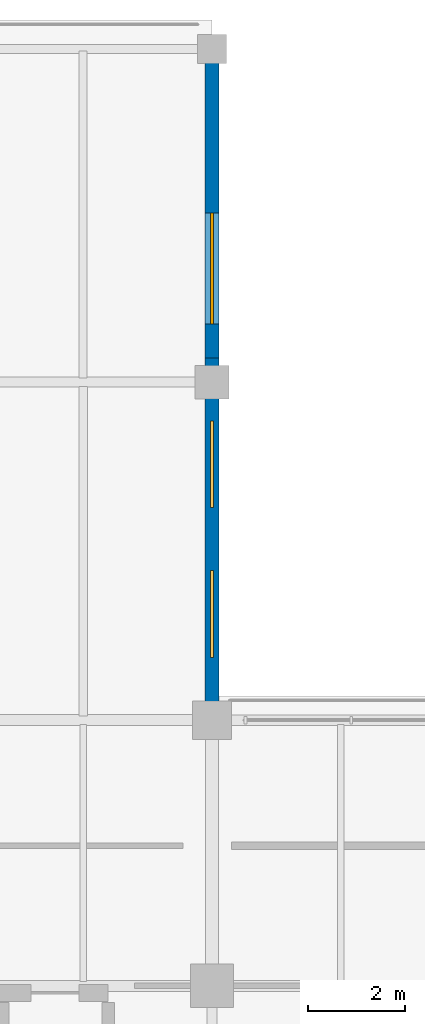
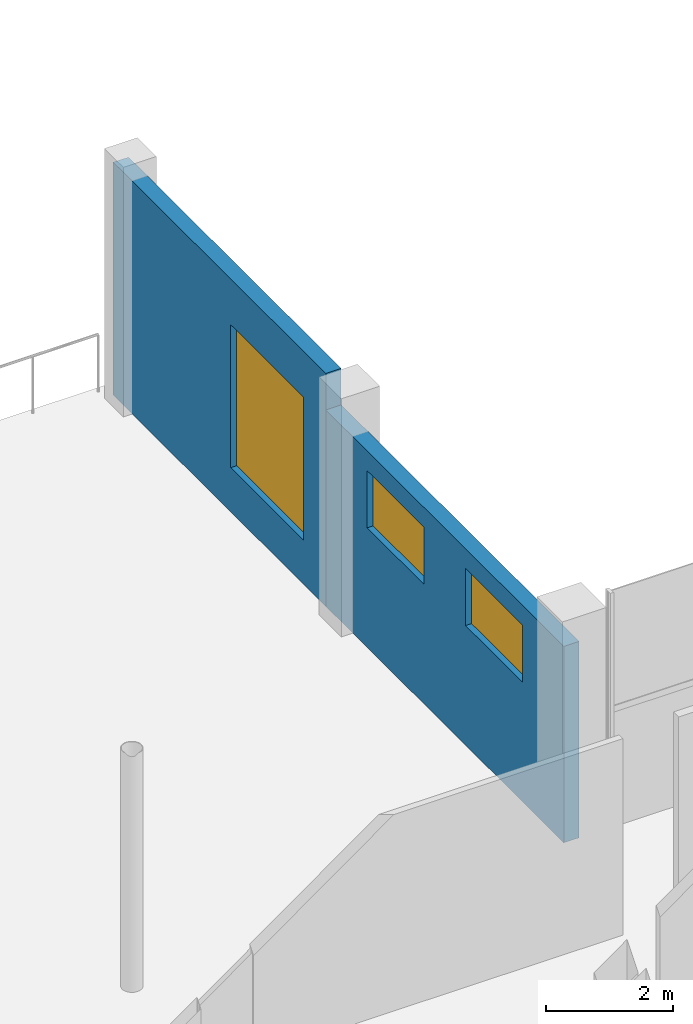
# One storey, part 37 of 51: 3 windows, 2 walls, 3 openings.
"""IFC4 building model written with IfcOpenShell, lengths in metres."""

from ifc_helpers import new_model, si_unit, direction, frame, frame_2d, origin, place, context, subcontext, project, spatial, rectangle, extrude, material, layer, layer_set, type_object, element, fill, save


model = new_model("IFC4")

# Units and contexts
model_context = context("Model", 3, precision=1e-05, world=origin(), true_north=direction((0.0, 1.0)))
body_context = subcontext(model_context, "Body", "Model", "MODEL_VIEW")
ifc_project = project(units=[si_unit("LENGTHUNIT", "METRE"), si_unit("AREAUNIT", "SQUARE_METRE"), si_unit("VOLUMEUNIT", "CUBIC_METRE"), si_unit("PLANEANGLEUNIT", "RADIAN"), si_unit("MASSUNIT", "GRAM", prefix="KILO")], contexts=[model_context])

# Site, building, storey
site_placement = place(None, origin())
site = spatial("IfcSite", under=ifc_project, at=site_placement, CompositionType="ELEMENT")
building_placement = place(site_placement, origin())
building = spatial("IfcBuilding", under=site, at=building_placement, Name="Brisemont Oceanarium", CompositionType="ELEMENT")
storey_placement = place(building_placement, frame((0.0, 0.0, 15.0)))
storey = spatial("IfcBuildingStorey", under=building, at=storey_placement, Name="L03", CompositionType="ELEMENT", Elevation=15.0)

# Wall, openings, windows
ifc_material_1 = material(Name="Beaux-Arts Limestone Cladding Precast Concrete C40/50", Category="masonry")
ifc_layer = layer(ifc_material_1, 0.280029296875)
ifc_layer_set = layer_set([ifc_layer], Name="Beaux-Arts Limestone Cladding Precast Concrete C40/50")
wall_type = type_object("IfcWallType", Name="EW-LIME-280", PredefinedType="STANDARD", material=ifc_layer_set)
wall_1_placement = place(storey_placement, frame((128.0, 93.5, 0.0), z_axis=(0.0, 0.0, 1.0), x_axis=(0.0, 1.0, 0.0)))
wall_1 = element("IfcWall", 1, at=wall_1_placement, inside=storey, type_object=wall_type, Name="Beaux-Arts exterior wall EW-V6-ET-L03-1", PredefinedType="STANDARD", context=body_context, shape_type="SweptSolid", body=[
    extrude(rectangle(XDim=7.5, YDim=0.280029296875, at=frame_2d((3.75, 0.0))), origin(), (0.0, 0.0, 1.0), 3.778076171875),
])
opening_1_placement = place(wall_1_placement, frame((1.300048828125, 0.0, 2.300048828125)))
opening_1 = element("IfcOpeningElement", 2, at=opening_1_placement, cuts=wall_1, Name="Opening WIN-14", PredefinedType="OPENING", context=body_context, shape_type="SweptSolid", body=[
    extrude(rectangle(XDim=1.800048828125, YDim=1.10009765625, at=frame_2d((0.89990234375, 0.550048828125))), frame((0.0, 0.14990234375, 0.0), z_axis=(0.0, -1.0, 0.0), x_axis=(1.0, 0.0, 0.0)), (0.0, 0.0, 1.0), 0.300048828125),
])
opening_2_placement = place(wall_1_placement, frame((4.39990234375, 0.0, 2.300048828125)))
opening_2 = element("IfcOpeningElement", 3, at=opening_2_placement, cuts=wall_1, Name="Opening WIN-14", PredefinedType="OPENING", context=body_context, shape_type="SweptSolid", body=[
    extrude(rectangle(XDim=1.800048828125, YDim=1.10009765625, at=frame_2d((0.89990234375, 0.550048828125))), frame((0.0, 0.14990234375, 0.0), z_axis=(0.0, -1.0, 0.0), x_axis=(1.0, 0.0, 0.0)), (0.0, 0.0, 1.0), 0.300048828125),
])
ifc_material_2 = material(Name="Insulated Low-E Laminated Glass", Category="glass")
window_type_1 = type_object("IfcWindowType", Name="WIN-CLR-1800X1100", PartitioningType="SINGLE_PANEL", PredefinedType="WINDOW", material=ifc_material_2)
window_1_placement = place(opening_1_placement, origin())
window_1 = element("IfcWindow", 4, at=window_1_placement, inside=storey, type_object=window_type_1, Name="WIN-14 facade window 122", OverallHeight=1.10009765625, OverallWidth=1.800048828125, PartitioningType="SINGLE_PANEL", PredefinedType="WINDOW", context=body_context, shape_type="SweptSolid", body=[
    extrude(rectangle(XDim=1.800048828125, YDim=1.10009765625, at=frame_2d((0.89990234375, 0.550048828125))), frame((0.0, 0.030029296875, 0.0), z_axis=(0.0, -1.0, 0.0), x_axis=(1.0, 0.0, 0.0)), (0.0, 0.0, 1.0), 0.06005859375),
])
fill(opening_1, window_1)
window_2_placement = place(opening_2_placement, origin())
window_2 = element("IfcWindow", 5, at=window_2_placement, inside=storey, type_object=window_type_1, Name="WIN-14 facade window 123", OverallHeight=1.10009765625, OverallWidth=1.800048828125, PartitioningType="SINGLE_PANEL", PredefinedType="WINDOW", context=body_context, shape_type="SweptSolid", body=[
    extrude(rectangle(XDim=1.800048828125, YDim=1.10009765625, at=frame_2d((0.89990234375, 0.550048828125))), frame((0.0, 0.030029296875, 0.0), z_axis=(0.0, -1.0, 0.0), x_axis=(1.0, 0.0, 0.0)), (0.0, 0.0, 1.0), 0.06005859375),
])
fill(opening_2, window_2)

# Wall, opening, window
wall_2_placement = place(storey_placement, frame((128.0, 101.0, 0.0), z_axis=(0.0, 0.0, 1.0), x_axis=(0.0, 1.0, 0.0)))
wall_2 = element("IfcWall", 6, at=wall_2_placement, inside=storey, type_object=wall_type, Name="Beaux-Arts exterior wall EW-V6-ET-L03-2", PredefinedType="STANDARD", context=body_context, shape_type="SweptSolid", body=[
    extrude(rectangle(XDim=6.699951171875, YDim=0.280029296875, at=frame_2d((3.35009765625, 0.0))), origin(), (0.0, 0.0, 1.0), 4.47998046875),
])
opening_3_placement = place(wall_2_placement, frame((0.699951171875, 0.0, 0.85009765625)))
opening_3 = element("IfcOpeningElement", 7, at=opening_3_placement, cuts=wall_2, Name="Opening WIN-16", PredefinedType="OPENING", context=body_context, shape_type="SweptSolid", body=[
    extrude(rectangle(XDim=2.300048828125, YDim=2.75, at=frame_2d((1.14990234375, 1.375))), frame((0.0, 0.14990234375, 0.0), z_axis=(0.0, -1.0, 0.0), x_axis=(1.0, 0.0, 0.0)), (0.0, 0.0, 1.0), 0.300048828125),
])
ifc_material_3 = material(Name="Insulated Low-E Laminated Glass", Category="glass")
window_type_2 = type_object("IfcWindowType", Name="WIN-BA-2300X2750", PartitioningType="SINGLE_PANEL", PredefinedType="WINDOW", material=ifc_material_3)
window_3_placement = place(opening_3_placement, origin())
window_3 = element("IfcWindow", 8, at=window_3_placement, inside=storey, type_object=window_type_2, Name="WIN-16 facade window 124", OverallHeight=2.75, OverallWidth=2.300048828125, PartitioningType="SINGLE_PANEL", PredefinedType="WINDOW", context=body_context, shape_type="SweptSolid", body=[
    extrude(rectangle(XDim=2.300048828125, YDim=2.75, at=frame_2d((1.14990234375, 1.375))), frame((0.0, 0.030029296875, 0.0), z_axis=(0.0, -1.0, 0.0), x_axis=(1.0, 0.0, 0.0)), (0.0, 0.0, 1.0), 0.06005859375),
])
fill(opening_3, window_3)

save(model, "model.ifc")
